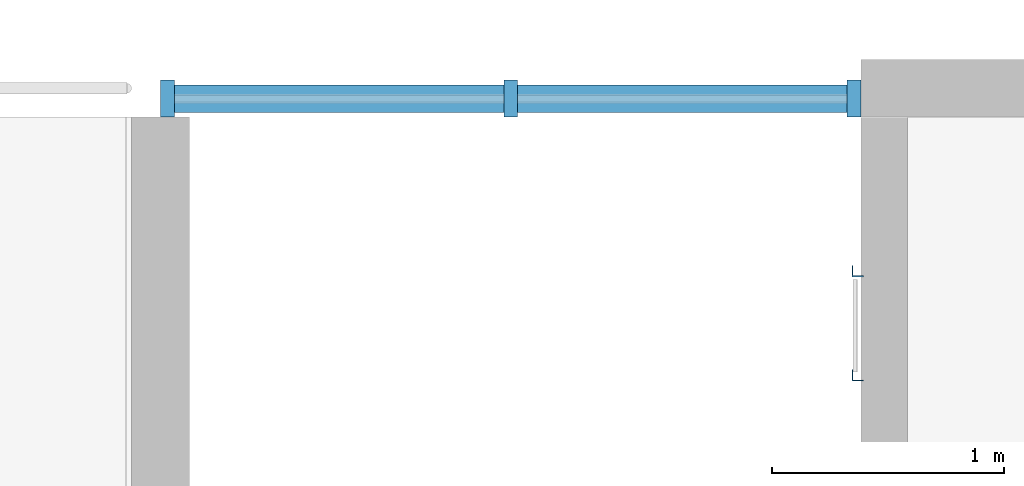
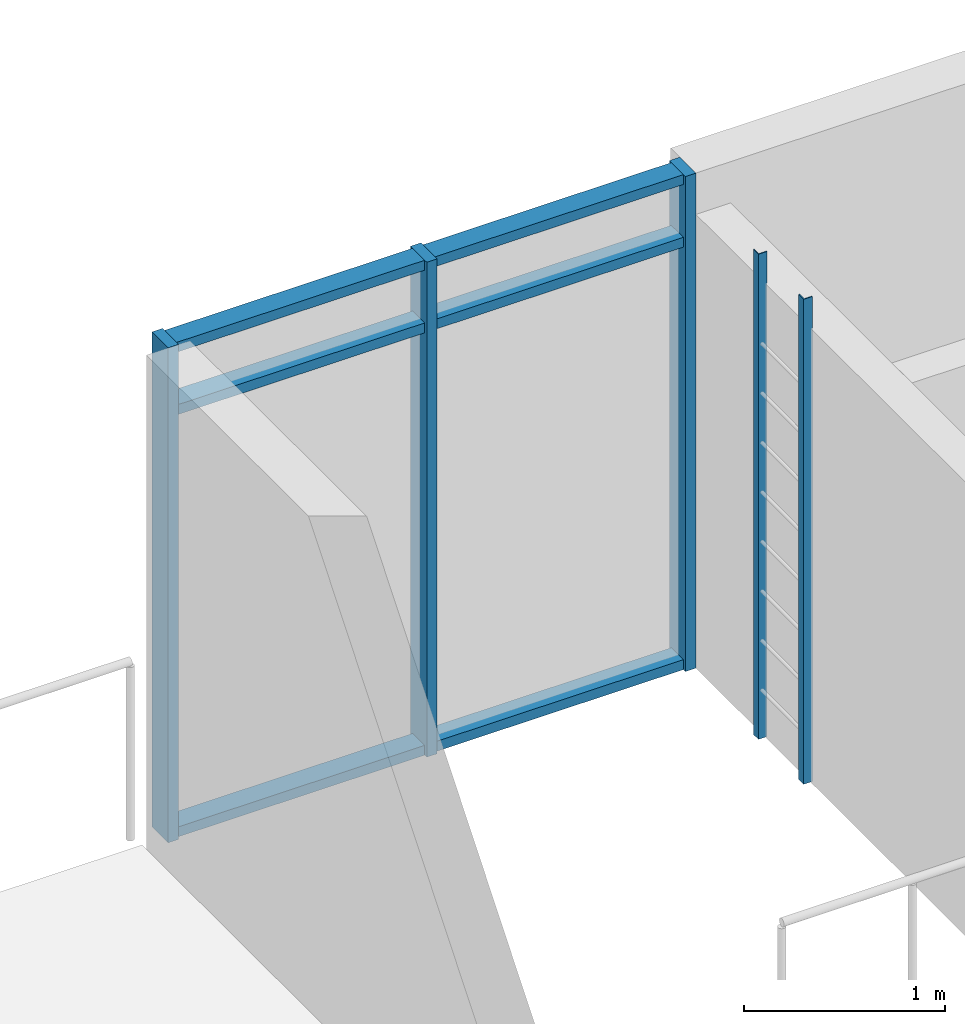
# One storey, part 10 of 41: 11 members, 1 element without a shape of its own.
"""IFC4 building model written with IfcOpenShell, lengths in metres."""

from ifc_helpers import new_model, si_unit, direction, frame, origin, origin_2d, place, context, subcontext, project, spatial, polyline, rectangle, outline, extrude, material, material_profile, profile_set, type_object, element, aggregate, save


model = new_model("IFC4")

# Units and contexts
model_context = context("Model", 3, precision=1e-05, world=origin(), true_north=direction((0.0, 1.0)))
body_context = subcontext(model_context, "Body", "Model", "MODEL_VIEW")
ifc_project = project(units=[si_unit("LENGTHUNIT", "METRE"), si_unit("AREAUNIT", "SQUARE_METRE"), si_unit("VOLUMEUNIT", "CUBIC_METRE"), si_unit("PLANEANGLEUNIT", "RADIAN"), si_unit("MASSUNIT", "GRAM", prefix="KILO")], contexts=[model_context])

# Site, building, storey
site_placement = place(None, origin())
site = spatial("IfcSite", under=ifc_project, at=site_placement, CompositionType="ELEMENT")
building_placement = place(site_placement, origin())
building = spatial("IfcBuilding", under=site, at=building_placement, Name="Ridgestep Commons", CompositionType="ELEMENT")
storey_placement = place(building_placement, frame((0.0, 0.0, 39.0)))
storey = spatial("IfcBuildingStorey", under=building, at=storey_placement, Name="L13", CompositionType="ELEMENT", Elevation=39.0)

# Members
ifc_material_1 = material(Name="Structural steel S355JR", Category="steel")
ifc_material_profile_1 = material_profile(ifc_material_1, outline(polyline([(-0.014404296875, -0.014404296875), (0.03564453125, -0.014404296875), (0.03564453125, -0.00927734375), (-0.00927734375, -0.00927734375), (-0.00927734375, 0.03564453125), (-0.014404296875, 0.03564453125), (-0.014404296875, -0.014404296875)])), Name="EA 50x50x5")
ifc_profile_set_1 = profile_set([ifc_material_profile_1], Name="Structural steel S355JR")
member_type_1 = type_object("IfcMemberType", Name="Core ladder stile EA 50x50x5", PredefinedType="STRINGER", material=ifc_profile_set_1)
for number, where, z_axis, x_axis, name in (
    (1, (211.0, 21.625, 0.0), (0.0, 0.0, 1.0), (1.0, 0.0, 0.0), "Ladder stile D4C.1"),
    (2, (211.0, 22.074951171875, 0.0), (0.0, 0.0, 1.0), (1.0, 0.0, 0.0), "Ladder stile D4C.2"),
):
    element("IfcMember", number, at=place(storey_placement, frame(where, z_axis=z_axis, x_axis=x_axis)), inside=storey, type_object=member_type_1, Name=name, PredefinedType="STRINGER", context=body_context, shape_type="SweptSolid", body=[
        extrude(outline(polyline([(-0.014404296875, -0.014404296875), (0.03564453125, -0.014404296875), (0.03564453125, -0.00927734375), (-0.00927734375, -0.00927734375), (-0.00927734375, 0.03564453125), (-0.014404296875, 0.03564453125), (-0.014404296875, -0.014404296875)])), origin(), (0.0, 0.0, 1.0), 2.93994140625),
    ])

# Curtain wall, members
ifc_material_2 = material(Name="Aluminium 6063-T6 and glass", Category="aluminium")
curtain_wall_type = type_object("IfcCurtainWallType", Name="Curtain wall stair strip", PredefinedType="NOTDEFINED", material=ifc_material_2)
curtain_wall_placement = place(storey_placement, origin())
curtain_wall = element("IfcCurtainWall", 3, at=curtain_wall_placement, inside=storey, type_object=curtain_wall_type, Name="Curtain wall D4C level 13", PredefinedType="NOTDEFINED")
ifc_material_3 = material(Name="Aluminium 6063-T6", Category="aluminium")
ifc_material_profile_2 = material_profile(ifc_material_3, rectangle(XDim=0.159912109375, YDim=0.06005859375, at=origin_2d()), Name="Mullion 60 x 160")
ifc_profile_set_2 = profile_set([ifc_material_profile_2], Name="Aluminium 6063-T6")
member_type_2 = type_object("IfcMemberType", Name="Mullion 60 x 160", PredefinedType="MULLION", material=ifc_profile_set_2)
member_1_placement = place(storey_placement, frame((208.030029296875, 22.830078125, 0.0), z_axis=(0.0, 0.0, 1.0), x_axis=(0.0, 1.0, 0.0)))
member_1 = element("IfcMember", 4, at=member_1_placement, type_object=member_type_2, Name="CW1 mullion 1", PredefinedType="MULLION", context=body_context, shape_type="SweptSolid", body=[
    extrude(rectangle(XDim=0.159912109375, YDim=0.06005859375, at=origin_2d()), origin(), (0.0, 0.0, 1.0), 3.0),
])
member_2_placement = place(storey_placement, frame((209.512451171875, 22.830078125, 0.0), z_axis=(0.0, 0.0, 1.0), x_axis=(0.0, 1.0, 0.0)))
member_2 = element("IfcMember", 5, at=member_2_placement, type_object=member_type_2, Name="CW1 mullion 2", PredefinedType="MULLION", context=body_context, shape_type="SweptSolid", body=[
    extrude(rectangle(XDim=0.159912109375, YDim=0.06005859375, at=origin_2d()), origin(), (0.0, 0.0, 1.0), 3.0),
])
member_3_placement = place(storey_placement, frame((210.9951171875, 22.830078125, 0.0), z_axis=(0.0, 0.0, 1.0), x_axis=(0.0, 1.0, 0.0)))
member_3 = element("IfcMember", 6, at=member_3_placement, type_object=member_type_2, Name="CW1 mullion 3", PredefinedType="MULLION", context=body_context, shape_type="SweptSolid", body=[
    extrude(rectangle(XDim=0.159912109375, YDim=0.06005859375, at=origin_2d()), origin(), (0.0, 0.0, 1.0), 3.0),
])
ifc_material_4 = material(Name="Aluminium 6063-T6", Category="aluminium")
ifc_material_profile_3 = material_profile(ifc_material_4, rectangle(XDim=0.1201171875, YDim=0.06005859375, at=origin_2d()), Name="Transom 60 x 120")
ifc_profile_set_3 = profile_set([ifc_material_profile_3], Name="Aluminium 6063-T6")
member_type_3 = type_object("IfcMemberType", Name="Transom 60 x 120", PredefinedType="USERDEFINED", material=ifc_profile_set_3)
member_4_placement = place(storey_placement, frame((208.06005859375, 22.830078125, 0.030029296875), z_axis=(1.0, 0.0, 0.0), x_axis=(0.0, 1.0, 0.0)))
member_4 = element("IfcMember", 7, at=member_4_placement, type_object=member_type_3, Name="CW1 transom 1.1", ObjectType="TRANSOM", PredefinedType="USERDEFINED", context=body_context, shape_type="SweptSolid", body=[
    extrude(rectangle(XDim=0.1201171875, YDim=0.06005859375, at=origin_2d()), origin(), (0.0, 0.0, 1.0), 1.42236328125),
])
member_5_placement = place(storey_placement, frame((208.06005859375, 22.830078125, 2.590087890625), z_axis=(1.0, 0.0, 0.0), x_axis=(0.0, 1.0, 0.0)))
member_5 = element("IfcMember", 8, at=member_5_placement, type_object=member_type_3, Name="CW1 transom 1.2", ObjectType="TRANSOM", PredefinedType="USERDEFINED", context=body_context, shape_type="SweptSolid", body=[
    extrude(rectangle(XDim=0.1201171875, YDim=0.06005859375, at=origin_2d()), origin(), (0.0, 0.0, 1.0), 1.42236328125),
])
member_6_placement = place(storey_placement, frame((208.06005859375, 22.830078125, 2.969970703125), z_axis=(1.0, 0.0, 0.0), x_axis=(0.0, 1.0, 0.0)))
member_6 = element("IfcMember", 9, at=member_6_placement, type_object=member_type_3, Name="CW1 transom 1.3", ObjectType="TRANSOM", PredefinedType="USERDEFINED", context=body_context, shape_type="SweptSolid", body=[
    extrude(rectangle(XDim=0.1201171875, YDim=0.06005859375, at=origin_2d()), origin(), (0.0, 0.0, 1.0), 1.42236328125),
])
member_7_placement = place(storey_placement, frame((209.54248046875, 22.830078125, 0.030029296875), z_axis=(1.0, 0.0, 0.0), x_axis=(0.0, 1.0, 0.0)))
member_7 = element("IfcMember", 10, at=member_7_placement, type_object=member_type_3, Name="CW1 transom 2.1", ObjectType="TRANSOM", PredefinedType="USERDEFINED", context=body_context, shape_type="SweptSolid", body=[
    extrude(rectangle(XDim=0.1201171875, YDim=0.06005859375, at=origin_2d()), origin(), (0.0, 0.0, 1.0), 1.422607421875),
])
member_8_placement = place(storey_placement, frame((209.54248046875, 22.830078125, 2.590087890625), z_axis=(1.0, 0.0, 0.0), x_axis=(0.0, 1.0, 0.0)))
member_8 = element("IfcMember", 11, at=member_8_placement, type_object=member_type_3, Name="CW1 transom 2.2", ObjectType="TRANSOM", PredefinedType="USERDEFINED", context=body_context, shape_type="SweptSolid", body=[
    extrude(rectangle(XDim=0.1201171875, YDim=0.06005859375, at=origin_2d()), origin(), (0.0, 0.0, 1.0), 1.422607421875),
])
member_9_placement = place(storey_placement, frame((209.54248046875, 22.830078125, 2.969970703125), z_axis=(1.0, 0.0, 0.0), x_axis=(0.0, 1.0, 0.0)))
member_9 = element("IfcMember", 12, at=member_9_placement, type_object=member_type_3, Name="CW1 transom 2.3", ObjectType="TRANSOM", PredefinedType="USERDEFINED", context=body_context, shape_type="SweptSolid", body=[
    extrude(rectangle(XDim=0.1201171875, YDim=0.06005859375, at=origin_2d()), origin(), (0.0, 0.0, 1.0), 1.422607421875),
])
aggregate(curtain_wall, [member_1, member_2, member_3, member_4, member_5, member_6, member_7, member_8, member_9])

save(model, "model.ifc")
